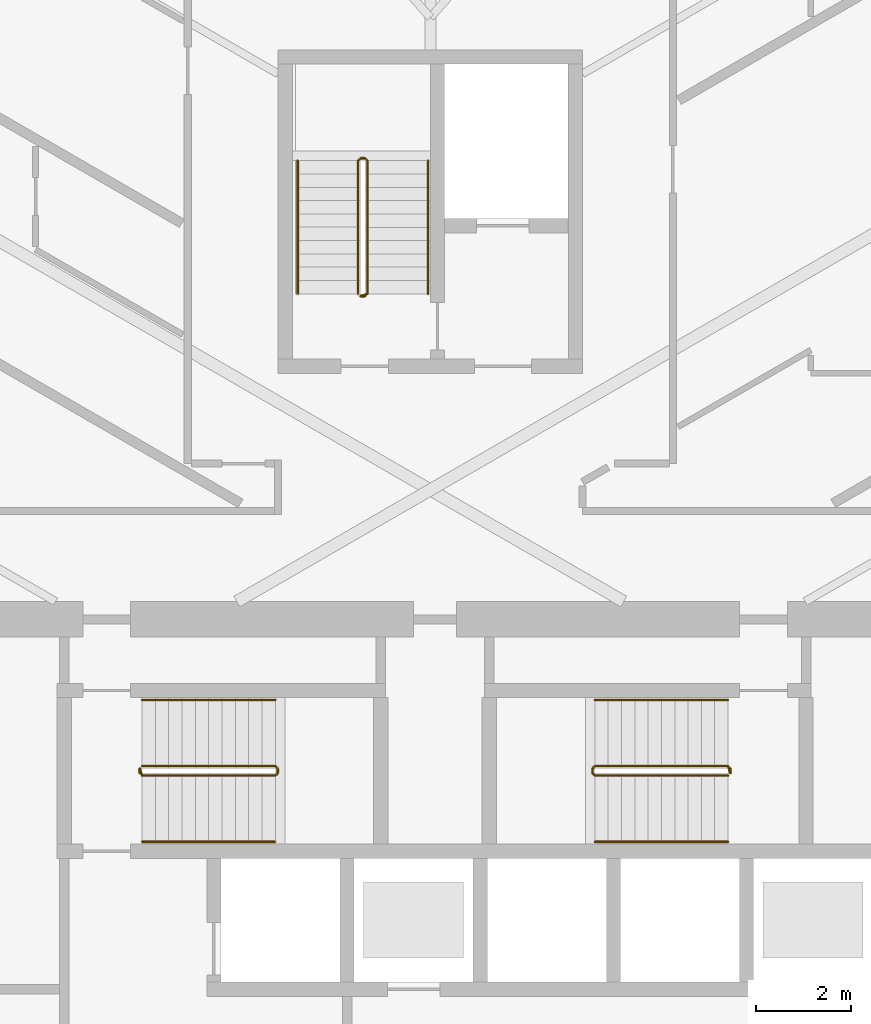
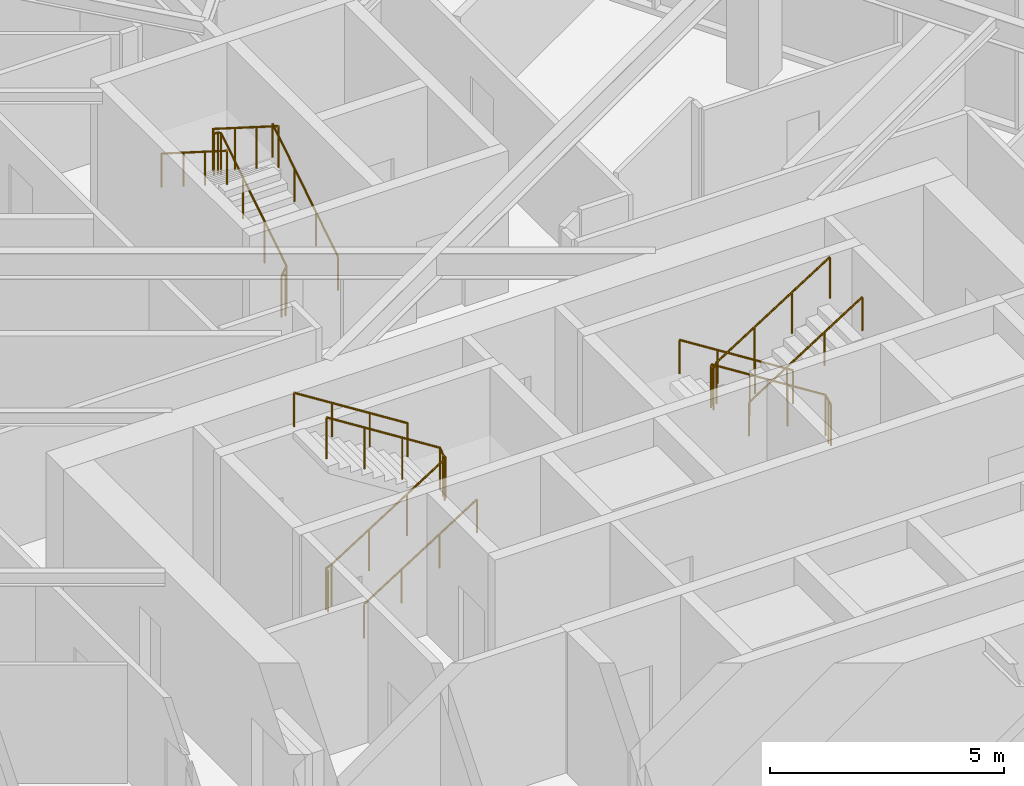
# One storey, part 20 of 21: 9 railings.
"""IFC4 building model written with IfcOpenShell, lengths in metres."""

import ifcopenshell
import ifcopenshell.guid

model = None  # the IFC model being written
_history = None  # IfcOwnerHistory: only IFC2X3 demands one
_inside = {}  # id of a spatial element -> (the spatial element, [elements in it])
_under = {}  # id of a project, library or spatial element -> (it, [spatial elements below it])
_declared = {}  # id of a project -> (the project, [libraries it declares])
_typed = {}  # id of a type object -> (the type object, [elements of that type])
_made_of = {}  # id of a material, layer set ... -> (it, [elements and type objects made of it])


def new_model(schema):
    """Start an empty IFC model of exactly this schema.

    Asked for "IFC4X3", IfcOpenShell would pick the latest addendum, in which some entities
    have other attributes; the version numbers below select the first issue.
    IFC2X3 requires an IfcOwnerHistory on every rooted entity: one is made here for all.
    """
    global model, _history
    if schema == "IFC4X3":
        model = ifcopenshell.file(schema_version=(4, 3, 0, 0))
    else:
        model = ifcopenshell.file(schema=schema)
    _inside.clear()
    _under.clear()
    _declared.clear()
    _typed.clear()
    _made_of.clear()
    _history = None
    if model.schema == "IFC2X3":
        org = make("IfcOrganization", Name="unknown")
        user = make(
            "IfcPersonAndOrganization",
            ThePerson=make("IfcPerson", FamilyName="unknown"),
            TheOrganization=org,
        )
        app = make(
            "IfcApplication",
            ApplicationDeveloper=org,
            Version="unknown",
            ApplicationFullName="unknown",
            ApplicationIdentifier="unknown",
        )
        _history = make(
            "IfcOwnerHistory",
            OwningUser=user,
            OwningApplication=app,
            ChangeAction="ADDED",
            CreationDate=0,
        )
    return model


def make(cls, **values):
    """One entity of the class cls with the attributes given. An attribute that is None is left unset."""
    return model.create_entity(
        cls, **{name: value for name, value in values.items() if value is not None}
    )


def rooted(cls, **values):
    """An entity with a GlobalId (a new one), such as an element, a storey or a relation."""
    return make(cls, GlobalId=ifcopenshell.guid.new(), OwnerHistory=_history, **values)


def si_unit(unit_type, name, prefix=None):
    """IfcSIUnit, for example si_unit("LENGTHUNIT", "METRE", prefix="MILLI")."""
    return make("IfcSIUnit", UnitType=unit_type, Prefix=prefix, Name=name)


def assignment(units):
    """IfcUnitAssignment: the units of a project."""
    return None if units is None else make("IfcUnitAssignment", Units=units)


def point(xyz):
    """IfcCartesianPoint."""
    return None if xyz is None else make("IfcCartesianPoint", Coordinates=xyz)


def direction(xyz):
    """IfcDirection."""
    return None if xyz is None else make("IfcDirection", DirectionRatios=xyz)


def frame(location, z_axis=None, x_axis=None):
    """IfcAxis2Placement3D, a coordinate frame: its origin and axes. An axis left out is left unset."""
    return make(
        "IfcAxis2Placement3D",
        Location=point(location),
        Axis=direction(z_axis),
        RefDirection=direction(x_axis),
    )


def frame_2d(location, x_axis=None):
    """IfcAxis2Placement2D, a coordinate frame in the plane: its origin and x axis."""
    return make(
        "IfcAxis2Placement2D", Location=point(location), RefDirection=direction(x_axis)
    )


def origin():
    """The frame at (0, 0, 0) with its axes left unset."""
    return frame((0.0, 0.0, 0.0))


def origin_2d():
    """The frame at (0, 0) in the plane with its x axis left unset."""
    return frame_2d((0.0, 0.0))


def place(relative_to, where):
    """IfcLocalPlacement: puts the frame where relative to a parent placement (None: the world)."""
    return make(
        "IfcLocalPlacement", PlacementRelTo=relative_to, RelativePlacement=where
    )


def context(
    kind, dimensions, precision=None, world=None, true_north=None, identifier=None
):
    """IfcGeometricRepresentationContext, for example the 3D "Model" context."""
    return make(
        "IfcGeometricRepresentationContext",
        ContextIdentifier=identifier,
        ContextType=kind,
        CoordinateSpaceDimension=dimensions,
        Precision=precision,
        WorldCoordinateSystem=world,
        TrueNorth=true_north,
    )


def subcontext(parent, identifier, kind, view, scale=None):
    """IfcGeometricRepresentationSubContext, for example "Body" below "Model"."""
    return make(
        "IfcGeometricRepresentationSubContext",
        ContextIdentifier=identifier,
        ContextType=kind,
        ParentContext=parent,
        TargetScale=scale,
        TargetView=view,
    )


def project(units=None, contexts=None):
    """IfcProject with its units and contexts."""
    return rooted(
        "IfcProject",
        Name="project",
        RepresentationContexts=contexts,
        UnitsInContext=assignment(units),
    )


def spatial(cls, under=None, at=None, **own):
    """A site, building, storey or space (cls), placed at a placement, below another one or the project."""
    s = rooted(cls, ObjectPlacement=at, **own)
    if under is not None:
        _under.setdefault(under.id(), (under, []))[1].append(s)
    return s


def profile(cls, at=None, kind="AREA", **sizes):
    """A parametric profile (cls). Its sizes go by their IFC names, for example OverallWidth=200.0."""
    return make(cls, ProfileType=kind, Position=at, **sizes)


def circle(**sizes):
    """IfcCircleProfileDef."""
    return profile("IfcCircleProfileDef", **sizes)


def extrude(swept, where, along, depth):
    """IfcExtrudedAreaSolid: the profile swept, set in the frame where, extruded along a direction by depth."""
    return make(
        "IfcExtrudedAreaSolid",
        SweptArea=swept,
        Position=where,
        ExtrudedDirection=direction(along),
        Depth=depth,
    )


def shape(context_of_items, identifier, shape_type, items):
    """IfcShapeRepresentation: the items that make up one representation, for example the "Body"."""
    return make(
        "IfcShapeRepresentation",
        ContextOfItems=context_of_items,
        RepresentationIdentifier=identifier,
        RepresentationType=shape_type,
        Items=items,
    )


def material(Name=None, Category=None):
    """IfcMaterial."""
    return make("IfcMaterial", Name=Name, Category=Category)


def made_of(thing, what):
    """Note that an element or type object is made of a material, layer set ...; save() writes the relation."""
    if what is not None:
        _made_of.setdefault(what.id(), (what, []))[1].append(thing)
    return thing


def type_object(cls, material=None, **own):
    """A type object (cls), such as IfcWallType, which elements share."""
    return made_of(rooted(cls, **own), material)


def element(
    cls,
    number,
    at=None,
    inside=None,
    cuts=None,
    type_object=None,
    material=None,
    context=None,
    identifier="Body",
    shape_type=None,
    held_by="IfcProductDefinitionShape",
    body=None,
    shapes=None,
    **own,
):
    """One element of the class cls, such as IfcWall. Its Tag is "e" and its number.

    at: its placement. inside: the storey or other place that contains it. cuts: it is an
    opening in that element (IfcRelVoidsElement). A single representation is given by context,
    identifier, shape_type and body (its items); several are given by shapes. held_by: the class
    of the entity that holds the representations. save() writes the other relations.
    """
    e = rooted(cls, Tag="e%d" % number, ObjectPlacement=at, **own)
    if body is not None:
        shapes = [shape(context, identifier, shape_type, body)]
    if shapes is not None:
        e.Representation = make(held_by, Representations=shapes)
    if inside is not None:
        _inside.setdefault(inside.id(), (inside, []))[1].append(e)
    if cuts is not None:
        rooted(
            "IfcRelVoidsElement", RelatingBuildingElement=cuts, RelatedOpeningElement=e
        )
    if type_object is not None:
        _typed.setdefault(type_object.id(), (type_object, []))[1].append(e)
    return made_of(e, material)


def aggregate(whole, parts):
    """IfcRelAggregates: a whole, such as a stair, and the parts it consists of."""
    return rooted("IfcRelAggregates", RelatingObject=whole, RelatedObjects=parts)


def save(model, path):
    """Write the relations noted so far, then the file.

    IfcRelAggregates (storeys below a building ...), IfcRelContainedInSpatialStructure (elements
    in a storey), IfcRelDefinesByType, IfcRelAssociatesMaterial and IfcRelDeclares: one each for
    every whole, place, type object, material and project.
    """
    for whole, parts in _under.values():
        aggregate(whole, parts)
    for where, things in _inside.values():
        rooted(
            "IfcRelContainedInSpatialStructure",
            RelatedElements=things,
            RelatingStructure=where,
        )
    for kind, things in _typed.values():
        rooted("IfcRelDefinesByType", RelatedObjects=things, RelatingType=kind)
    for what, things in _made_of.values():
        rooted("IfcRelAssociatesMaterial", RelatedObjects=things, RelatingMaterial=what)
    for by, libraries in _declared.values():
        rooted("IfcRelDeclares", RelatingContext=by, RelatedDefinitions=libraries)
    model.write(path)


model = new_model("IFC4")

# Units and contexts
model_context = context("Model", 3, precision=1e-05, world=origin(), true_north=direction((0.0, 1.0)))
body_context = subcontext(model_context, "Body", "Model", "MODEL_VIEW")
ifc_project = project(units=[si_unit("LENGTHUNIT", "METRE"), si_unit("AREAUNIT", "SQUARE_METRE"), si_unit("VOLUMEUNIT", "CUBIC_METRE"), si_unit("PLANEANGLEUNIT", "RADIAN"), si_unit("MASSUNIT", "GRAM", prefix="KILO")], contexts=[model_context])

# Site, building, storey
site_placement = place(None, origin())
site = spatial("IfcSite", under=ifc_project, at=site_placement, CompositionType="ELEMENT")
building_placement = place(site_placement, origin())
building = spatial("IfcBuilding", under=site, at=building_placement, Name="Firuza Gate Tower and Library", CompositionType="ELEMENT")
storey_placement = place(building_placement, frame((0.0, 0.0, 167.5)))
storey = spatial("IfcBuildingStorey", under=building, at=storey_placement, Name="L38", CompositionType="ELEMENT", Elevation=167.5)

# Railings
ifc_material_1 = material(Name="Steel S355", Category="steel")
railing_type_1 = type_object("IfcRailingType", Name="Stair guard 1100", PredefinedType="GUARDRAIL", material=ifc_material_1)
railing_1_placement = place(storey_placement, frame((68.889892578125, 79.389892578125, 0.0)))
element("IfcRailing", 1, at=railing_1_placement, inside=storey, type_object=railing_type_1, Name="L38 ST1 stair guard 1", PredefinedType="GUARDRAIL", context=body_context, shape_type="SweptSolid", body=[
    extrude(circle(Radius=0.02392578125, at=origin_2d()), frame((0.0, 0.0, 1.076171875), z_axis=(0.0, 1.0, 0.0), x_axis=(-1.0, 0.0, 0.0)), (0.0, 0.0, 1.0), 0.10009765625),
    extrude(circle(Radius=0.02392578125, at=origin_2d()), frame((0.0, 0.10009765625, 1.076171875), z_axis=(0.210758951027, -0.631248760638, 0.74639511437), x_axis=(0.948528701346, 0.316691178788, 0.0)), (0.0, 0.0, 1.0), 0.237548828125),
    extrude(circle(Radius=0.02392578125, at=origin_2d()), frame((0.050048828125, -0.0498046875, 1.25341796875), z_axis=(0.844908973607, 0.0, 0.534910110503), x_axis=(0.0, 1.0, 0.0)), (0.0, 0.0, 1.0), 3.31396484375),
    extrude(circle(Radius=0.02392578125, at=origin_2d()), frame((2.85009765625, -0.0498046875, 3.02587890625), z_axis=(0.708833529934, 0.705375805398, 0.0), x_axis=(-0.705375805398, 0.708833529934, 0.0)), (0.0, 0.0, 1.0), 0.070556640625),
    extrude(circle(Radius=0.02392578125, at=origin_2d()), frame((2.900146484375, 0.0, 3.02587890625), z_axis=(0.0, 1.0, 0.0), x_axis=(-1.0, 0.0, 0.0)), (0.0, 0.0, 1.0), 0.10009765625),
    extrude(circle(Radius=0.02392578125, at=origin_2d()), frame((2.900146484375, 0.10009765625, 3.02587890625), z_axis=(-0.262233686654, 0.262233686654, 0.928691007369), x_axis=(-0.707106781187, -0.707106781187, 0.0)), (0.0, 0.0, 1.0), 0.19091796875),
    extrude(circle(Radius=0.02392578125, at=origin_2d()), frame((2.85009765625, 0.150146484375, 3.203125), z_axis=(-0.844908973607, 0.0, 0.534910110503), x_axis=(0.0, -1.0, 0.0)), (0.0, 0.0, 1.0), 3.31396484375),
    extrude(circle(Radius=0.02099609375, at=origin_2d()), origin(), (0.0, 0.0, 1.0), 1.052001953125),
    extrude(circle(Radius=0.02099609375, at=origin_2d()), frame((0.0, 0.10009765625, 0.0)), (0.0, 0.0, 1.0), 1.052001953125),
    extrude(circle(Radius=0.02099609375, at=origin_2d()), frame((0.050048828125, -0.0498046875, 0.17724609375)), (0.0, 0.0, 1.0), 1.052001953125),
    extrude(circle(Radius=0.02099609375, at=origin_2d()), frame((0.9833984375, -0.0498046875, 0.76806640625)), (0.0, 0.0, 1.0), 1.052001953125),
    extrude(circle(Radius=0.02099609375, at=origin_2d()), frame((1.916748046875, -0.0498046875, 1.359130859375)), (0.0, 0.0, 1.0), 1.052001953125),
    extrude(circle(Radius=0.02099609375, at=origin_2d()), frame((2.85009765625, -0.0498046875, 1.949951171875)), (0.0, 0.0, 1.0), 1.052001953125),
    extrude(circle(Radius=0.02099609375, at=origin_2d()), frame((2.900146484375, 0.0, 1.949951171875)), (0.0, 0.0, 1.0), 1.052001953125),
    extrude(circle(Radius=0.02099609375, at=origin_2d()), frame((2.900146484375, 0.10009765625, 1.949951171875)), (0.0, 0.0, 1.0), 1.052001953125),
    extrude(circle(Radius=0.02099609375, at=origin_2d()), frame((2.85009765625, 0.150146484375, 2.127197265625)), (0.0, 0.0, 1.0), 1.052001953125),
    extrude(circle(Radius=0.02099609375, at=origin_2d()), frame((1.916748046875, 0.150146484375, 2.718017578125)), (0.0, 0.0, 1.0), 1.052001953125),
    extrude(circle(Radius=0.02099609375, at=origin_2d()), frame((0.9833984375, 0.150146484375, 3.30908203125)), (0.0, 0.0, 1.0), 1.052001953125),
    extrude(circle(Radius=0.02099609375, at=origin_2d()), frame((0.050048828125, 0.150146484375, 3.89990234375)), (0.0, 0.0, 1.0), 1.052001953125),
])
railing_2_placement = place(storey_placement, frame((81.31005859375, 79.489990234375, 0.0)))
element("IfcRailing", 2, at=railing_2_placement, inside=storey, type_object=railing_type_1, Name="L38 ST2 stair guard 1", PredefinedType="GUARDRAIL", context=body_context, shape_type="SweptSolid", body=[
    extrude(circle(Radius=0.02392578125, at=origin_2d()), frame((0.0, 0.0, 1.076171875), z_axis=(0.0, -1.0, 0.0), x_axis=(1.0, 0.0, 0.0)), (0.0, 0.0, 1.0), 0.10009765625),
    extrude(circle(Radius=0.02392578125, at=origin_2d()), frame((0.0, -0.10009765625, 1.076171875), z_axis=(-0.210622194084, 0.631866582253, 0.74591079466), x_axis=(-0.948683298051, -0.316227766017, 0.0)), (0.0, 0.0, 1.0), 0.237548828125),
    extrude(circle(Radius=0.02392578125, at=origin_2d()), frame((-0.050048828125, 0.050048828125, 1.25341796875), z_axis=(-0.844908973607, 0.0, 0.534910110503), x_axis=(0.0, -1.0, 0.0)), (0.0, 0.0, 1.0), 3.31396484375),
    extrude(circle(Radius=0.02392578125, at=origin_2d()), frame((-2.85009765625, 0.050048828125, 3.02587890625), z_axis=(-0.707106781187, -0.707106781187, 0.0), x_axis=(0.707106781187, -0.707106781187, 0.0)), (0.0, 0.0, 1.0), 0.07080078125),
    extrude(circle(Radius=0.02392578125, at=origin_2d()), frame((-2.900146484375, 0.0, 3.02587890625), z_axis=(0.0, -1.0, 0.0), x_axis=(1.0, 0.0, 0.0)), (0.0, 0.0, 1.0), 0.10009765625),
    extrude(circle(Radius=0.02392578125, at=origin_2d()), frame((-2.900146484375, -0.10009765625, 3.02587890625), z_axis=(0.262321481514, -0.261041864531, 0.929001929653), x_axis=(0.705375805398, 0.708833529934, 0.0)), (0.0, 0.0, 1.0), 0.190673828125),
    extrude(circle(Radius=0.02392578125, at=origin_2d()), frame((-2.85009765625, -0.14990234375, 3.203125), z_axis=(0.844908973607, 0.0, 0.534910110503), x_axis=(0.0, 1.0, 0.0)), (0.0, 0.0, 1.0), 3.31396484375),
    extrude(circle(Radius=0.02099609375, at=origin_2d()), origin(), (0.0, 0.0, 1.0), 1.052001953125),
    extrude(circle(Radius=0.02099609375, at=origin_2d()), frame((0.0, -0.10009765625, 0.0)), (0.0, 0.0, 1.0), 1.052001953125),
    extrude(circle(Radius=0.02099609375, at=origin_2d()), frame((-0.050048828125, 0.050048828125, 0.17724609375)), (0.0, 0.0, 1.0), 1.052001953125),
    extrude(circle(Radius=0.02099609375, at=origin_2d()), frame((-0.9833984375, 0.050048828125, 0.76806640625)), (0.0, 0.0, 1.0), 1.052001953125),
    extrude(circle(Radius=0.02099609375, at=origin_2d()), frame((-1.916748046875, 0.050048828125, 1.359130859375)), (0.0, 0.0, 1.0), 1.052001953125),
    extrude(circle(Radius=0.02099609375, at=origin_2d()), frame((-2.85009765625, 0.050048828125, 1.949951171875)), (0.0, 0.0, 1.0), 1.052001953125),
    extrude(circle(Radius=0.02099609375, at=origin_2d()), frame((-2.900146484375, 0.0, 1.949951171875)), (0.0, 0.0, 1.0), 1.052001953125),
    extrude(circle(Radius=0.02099609375, at=origin_2d()), frame((-2.900146484375, -0.10009765625, 1.949951171875)), (0.0, 0.0, 1.0), 1.052001953125),
    extrude(circle(Radius=0.02099609375, at=origin_2d()), frame((-2.85009765625, -0.14990234375, 2.127197265625)), (0.0, 0.0, 1.0), 1.052001953125),
    extrude(circle(Radius=0.02099609375, at=origin_2d()), frame((-1.916748046875, -0.14990234375, 2.718017578125)), (0.0, 0.0, 1.0), 1.052001953125),
    extrude(circle(Radius=0.02099609375, at=origin_2d()), frame((-0.9833984375, -0.14990234375, 3.30908203125)), (0.0, 0.0, 1.0), 1.052001953125),
    extrude(circle(Radius=0.02099609375, at=origin_2d()), frame((-0.050048828125, -0.14990234375, 3.89990234375)), (0.0, 0.0, 1.0), 1.052001953125),
])
railing_3_placement = place(storey_placement, frame((73.6298828125, 89.419921875, 0.0)))
element("IfcRailing", 3, at=railing_3_placement, inside=storey, type_object=railing_type_1, Name="L38 ST3 stair guard 1", PredefinedType="GUARDRAIL", context=body_context, shape_type="SweptSolid", body=[
    extrude(circle(Radius=0.02392578125, at=origin_2d()), frame((0.0, 0.0, 1.076171875), z_axis=(-1.0, 0.0, 0.0), x_axis=(0.0, -1.0, 0.0)), (0.0, 0.0, 1.0), 0.099853515625),
    extrude(circle(Radius=0.02392578125, at=origin_2d()), frame((-0.099853515625, 0.0, 1.076171875), z_axis=(0.631248760638, 0.210758951027, 0.74639511437), x_axis=(-0.316691178788, 0.948528701346, 0.0)), (0.0, 0.0, 1.0), 0.237548828125),
    extrude(circle(Radius=0.02392578125, at=origin_2d()), frame((0.050048828125, 0.050048828125, 1.25341796875), z_axis=(0.0, 0.844908973607, 0.534910110503), x_axis=(-1.0, 0.0, 0.0)), (0.0, 0.0, 1.0), 3.31396484375),
    extrude(circle(Radius=0.02392578125, at=origin_2d()), frame((0.050048828125, 2.85009765625, 3.02587890625), z_axis=(-0.707106781187, 0.707106781187, 0.0), x_axis=(-0.707106781187, -0.707106781187, 0.0)), (0.0, 0.0, 1.0), 0.07080078125),
    extrude(circle(Radius=0.02392578125, at=origin_2d()), frame((0.0, 2.900146484375, 3.02587890625), z_axis=(-1.0, 0.0, 0.0), x_axis=(0.0, -1.0, 0.0)), (0.0, 0.0, 1.0), 0.099853515625),
    extrude(circle(Radius=0.02392578125, at=origin_2d()), frame((-0.099853515625, 2.900146484375, 3.02587890625), z_axis=(-0.262233686654, -0.262233686654, 0.928691007369), x_axis=(0.707106781187, -0.707106781187, 0.0)), (0.0, 0.0, 1.0), 0.19091796875),
    extrude(circle(Radius=0.02392578125, at=origin_2d()), frame((-0.14990234375, 2.85009765625, 3.203125), z_axis=(0.0, -0.844908973607, 0.534910110503), x_axis=(1.0, 0.0, 0.0)), (0.0, 0.0, 1.0), 3.31396484375),
    extrude(circle(Radius=0.02099609375, at=origin_2d()), origin(), (0.0, 0.0, 1.0), 1.052001953125),
    extrude(circle(Radius=0.02099609375, at=origin_2d()), frame((-0.099853515625, 0.0, 0.0)), (0.0, 0.0, 1.0), 1.052001953125),
    extrude(circle(Radius=0.02099609375, at=origin_2d()), frame((0.050048828125, 0.050048828125, 0.17724609375)), (0.0, 0.0, 1.0), 1.052001953125),
    extrude(circle(Radius=0.02099609375, at=origin_2d()), frame((0.050048828125, 0.9833984375, 0.76806640625)), (0.0, 0.0, 1.0), 1.052001953125),
    extrude(circle(Radius=0.02099609375, at=origin_2d()), frame((0.050048828125, 1.916748046875, 1.359130859375)), (0.0, 0.0, 1.0), 1.052001953125),
    extrude(circle(Radius=0.02099609375, at=origin_2d()), frame((0.050048828125, 2.85009765625, 1.949951171875)), (0.0, 0.0, 1.0), 1.052001953125),
    extrude(circle(Radius=0.02099609375, at=origin_2d()), frame((0.0, 2.900146484375, 1.949951171875)), (0.0, 0.0, 1.0), 1.052001953125),
    extrude(circle(Radius=0.02099609375, at=origin_2d()), frame((-0.099853515625, 2.900146484375, 1.949951171875)), (0.0, 0.0, 1.0), 1.052001953125),
    extrude(circle(Radius=0.02099609375, at=origin_2d()), frame((-0.14990234375, 2.85009765625, 2.127197265625)), (0.0, 0.0, 1.0), 1.052001953125),
    extrude(circle(Radius=0.02099609375, at=origin_2d()), frame((-0.14990234375, 1.916748046875, 2.718017578125)), (0.0, 0.0, 1.0), 1.052001953125),
    extrude(circle(Radius=0.02099609375, at=origin_2d()), frame((-0.14990234375, 0.9833984375, 3.30908203125)), (0.0, 0.0, 1.0), 1.052001953125),
    extrude(circle(Radius=0.02099609375, at=origin_2d()), frame((-0.14990234375, 0.050048828125, 3.89990234375)), (0.0, 0.0, 1.0), 1.052001953125),
])
ifc_material_2 = material(Name="Steel S355", Category="steel")
railing_type_2 = type_object("IfcRailingType", Name="Stair handrail 900", PredefinedType="HANDRAIL", material=ifc_material_2)
railing_4_placement = place(storey_placement, frame((68.93994140625, 77.949951171875, 0.17724609375)))
element("IfcRailing", 4, at=railing_4_placement, inside=storey, type_object=railing_type_2, Name="L38 ST1 stair handrail 1", PredefinedType="HANDRAIL", context=body_context, shape_type="SweptSolid", body=[
    extrude(circle(Radius=0.02392578125, at=origin_2d()), frame((0.0, 0.0, 0.8759765625), z_axis=(0.844908973607, 0.0, 0.534910110503), x_axis=(0.0, 1.0, 0.0)), (0.0, 0.0, 1.0), 3.31396484375),
    extrude(circle(Radius=0.02099609375, at=origin_2d()), origin(), (0.0, 0.0, 1.0), 0.851806640625),
    extrude(circle(Radius=0.02099609375, at=origin_2d()), frame((0.933349609375, 0.0, 0.5908203125)), (0.0, 0.0, 1.0), 0.851806640625),
    extrude(circle(Radius=0.02099609375, at=origin_2d()), frame((1.86669921875, 0.0, 1.181884765625)), (0.0, 0.0, 1.0), 0.851806640625),
    extrude(circle(Radius=0.02099609375, at=origin_2d()), frame((2.800048828125, 0.0, 1.772705078125)), (0.0, 0.0, 1.0), 0.851806640625),
])
for number, where, name in (
    (5, (71.739990234375, 80.929931640625, 2.127197265625), "L38 ST1 stair handrail 2"),
    (6, (81.260009765625, 80.929931640625, 0.17724609375), "L38 ST2 stair handrail 1"),
):
    element("IfcRailing", number, at=place(storey_placement, frame(where)), inside=storey, type_object=railing_type_2, Name=name, PredefinedType="HANDRAIL", context=body_context, shape_type="SweptSolid", body=[
        extrude(circle(Radius=0.02392578125, at=origin_2d()), frame((0.0, 0.0, 0.8759765625), z_axis=(-0.844908973607, 0.0, 0.534910110503), x_axis=(0.0, -1.0, 0.0)), (0.0, 0.0, 1.0), 3.31396484375),
        extrude(circle(Radius=0.02099609375, at=origin_2d()), origin(), (0.0, 0.0, 1.0), 0.851806640625),
        extrude(circle(Radius=0.02099609375, at=origin_2d()), frame((-0.933349609375, 0.0, 0.5908203125)), (0.0, 0.0, 1.0), 0.851806640625),
        extrude(circle(Radius=0.02099609375, at=origin_2d()), frame((-1.86669921875, 0.0, 1.181884765625)), (0.0, 0.0, 1.0), 0.851806640625),
        extrude(circle(Radius=0.02099609375, at=origin_2d()), frame((-2.800048828125, 0.0, 1.772705078125)), (0.0, 0.0, 1.0), 0.851806640625),
    ])
railing_5_placement = place(storey_placement, frame((78.4599609375, 77.949951171875, 2.127197265625)))
element("IfcRailing", 7, at=railing_5_placement, inside=storey, type_object=railing_type_2, Name="L38 ST2 stair handrail 2", PredefinedType="HANDRAIL", context=body_context, shape_type="SweptSolid", body=[
    extrude(circle(Radius=0.02392578125, at=origin_2d()), frame((0.0, 0.0, 0.8759765625), z_axis=(0.844908973607, 0.0, 0.534910110503), x_axis=(0.0, 1.0, 0.0)), (0.0, 0.0, 1.0), 3.31396484375),
    extrude(circle(Radius=0.02099609375, at=origin_2d()), origin(), (0.0, 0.0, 1.0), 0.851806640625),
    extrude(circle(Radius=0.02099609375, at=origin_2d()), frame((0.933349609375, 0.0, 0.5908203125)), (0.0, 0.0, 1.0), 0.851806640625),
    extrude(circle(Radius=0.02099609375, at=origin_2d()), frame((1.86669921875, 0.0, 1.181884765625)), (0.0, 0.0, 1.0), 0.851806640625),
    extrude(circle(Radius=0.02099609375, at=origin_2d()), frame((2.800048828125, 0.0, 1.772705078125)), (0.0, 0.0, 1.0), 0.851806640625),
])
railing_6_placement = place(storey_placement, frame((74.949951171875, 89.469970703125, 0.17724609375)))
element("IfcRailing", 8, at=railing_6_placement, inside=storey, type_object=railing_type_2, Name="L38 ST3 stair handrail 1", PredefinedType="HANDRAIL", context=body_context, shape_type="SweptSolid", body=[
    extrude(circle(Radius=0.02392578125, at=origin_2d()), frame((0.0, 0.0, 0.8759765625), z_axis=(0.0, 0.844908973607, 0.534910110503), x_axis=(-1.0, 0.0, 0.0)), (0.0, 0.0, 1.0), 3.31396484375),
    extrude(circle(Radius=0.02099609375, at=origin_2d()), origin(), (0.0, 0.0, 1.0), 0.851806640625),
    extrude(circle(Radius=0.02099609375, at=origin_2d()), frame((0.0, 0.933349609375, 0.5908203125)), (0.0, 0.0, 1.0), 0.851806640625),
    extrude(circle(Radius=0.02099609375, at=origin_2d()), frame((0.0, 1.86669921875, 1.181884765625)), (0.0, 0.0, 1.0), 0.851806640625),
    extrude(circle(Radius=0.02099609375, at=origin_2d()), frame((0.0, 2.800048828125, 1.772705078125)), (0.0, 0.0, 1.0), 0.851806640625),
])
railing_7_placement = place(storey_placement, frame((72.2099609375, 92.27001953125, 2.127197265625)))
element("IfcRailing", 9, at=railing_7_placement, inside=storey, type_object=railing_type_2, Name="L38 ST3 stair handrail 2", PredefinedType="HANDRAIL", context=body_context, shape_type="SweptSolid", body=[
    extrude(circle(Radius=0.02392578125, at=origin_2d()), frame((0.0, 0.0, 0.8759765625), z_axis=(0.0, -0.844908973607, 0.534910110503), x_axis=(1.0, 0.0, 0.0)), (0.0, 0.0, 1.0), 3.31396484375),
    extrude(circle(Radius=0.02099609375, at=origin_2d()), origin(), (0.0, 0.0, 1.0), 0.851806640625),
    extrude(circle(Radius=0.02099609375, at=origin_2d()), frame((0.0, -0.933349609375, 0.5908203125)), (0.0, 0.0, 1.0), 0.851806640625),
    extrude(circle(Radius=0.02099609375, at=origin_2d()), frame((0.0, -1.86669921875, 1.181884765625)), (0.0, 0.0, 1.0), 0.851806640625),
    extrude(circle(Radius=0.02099609375, at=origin_2d()), frame((0.0, -2.800048828125, 1.772705078125)), (0.0, 0.0, 1.0), 0.851806640625),
])

save(model, "model.ifc")
